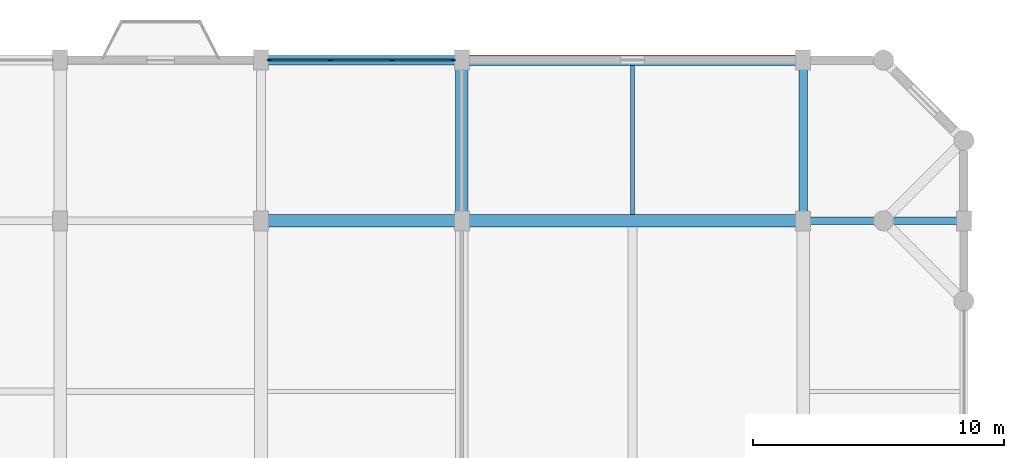
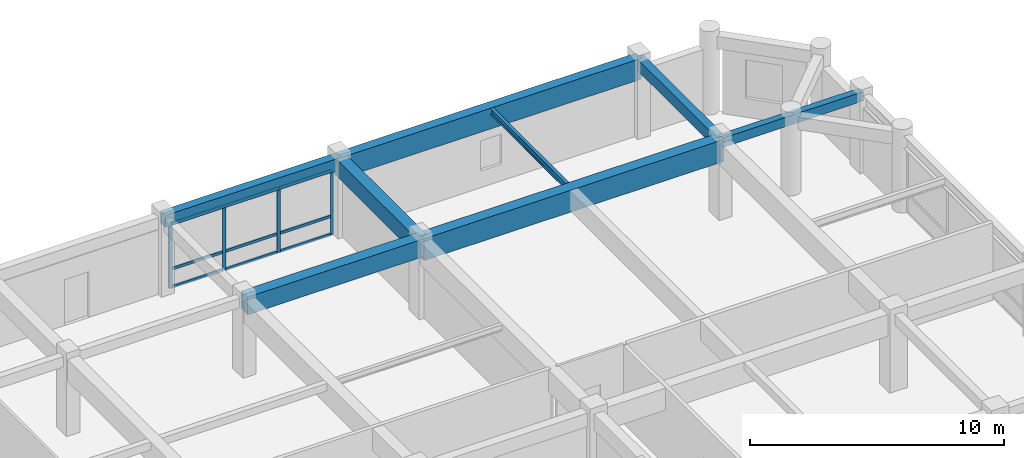
# One storey, part 11 of 20: 13 members, 8 beams, 1 element without a shape of its own.
"""IFC4 building model written with IfcOpenShell, lengths in metres."""

from ifc_helpers import new_model, si_unit, direction, frame, origin, origin_2d, place, context, subcontext, project, spatial, rectangle, i_section, extrude, material, material_profile, profile_set, type_object, element, aggregate, save


model = new_model("IFC4")

# Units and contexts
model_context = context("Model", 3, precision=1e-05, world=origin(), true_north=direction((0.0, 1.0)))
body_context = subcontext(model_context, "Body", "Model", "MODEL_VIEW")
ifc_project = project(units=[si_unit("LENGTHUNIT", "METRE"), si_unit("AREAUNIT", "SQUARE_METRE"), si_unit("VOLUMEUNIT", "CUBIC_METRE"), si_unit("PLANEANGLEUNIT", "RADIAN"), si_unit("MASSUNIT", "GRAM", prefix="KILO")], contexts=[model_context])

# Site, building, storey
site_placement = place(None, origin())
site = spatial("IfcSite", under=ifc_project, at=site_placement, CompositionType="ELEMENT")
building_placement = place(site_placement, origin())
building = spatial("IfcBuilding", under=site, at=building_placement, Name="Vellmiral Cinema and Media Centre", CompositionType="ELEMENT")
storey_placement = place(building_placement, frame((0.0, 0.0, 23.800048828125)))
storey = spatial("IfcBuildingStorey", under=building, at=storey_placement, Name="L05", CompositionType="ELEMENT", Elevation=23.800048828125)

# Beams
ifc_material_1 = material(Name="Concrete C40/50", Category="concrete")
ifc_material_profile_1 = material_profile(ifc_material_1, rectangle(XDim=0.300048828125, YDim=0.449951171875, at=origin_2d()), Name="RC 300x450")
ifc_profile_set_1 = profile_set([ifc_material_profile_1], Name="Concrete C40/50")
beam_type_1 = type_object("IfcBeamType", Name="BM-RC-300x450", PredefinedType="BEAM", material=ifc_profile_set_1)
beam_1_placement = place(storey_placement, frame((161.60009765625, 108.800048828125, 3.469970703125), z_axis=(1.0, 0.0, 0.0), x_axis=(0.0, 1.0, 0.0)))
element("IfcBeam", 1, at=beam_1_placement, inside=storey, type_object=beam_type_1, Name="Grid Beam L05-X047", PredefinedType="BEAM", context=body_context, shape_type="SweptSolid", body=[
    extrude(rectangle(XDim=0.300048828125, YDim=0.449951171875, at=origin_2d()), origin(), (0.0, 0.0, 1.0), 6.39990234375),
])
ifc_material_2 = material(Name="Concrete C40/50", Category="concrete")
ifc_material_profile_2 = material_profile(ifc_material_2, rectangle(XDim=0.35009765625, YDim=0.550048828125, at=origin_2d()), Name="RC 350x550")
ifc_profile_set_2 = profile_set([ifc_material_profile_2], Name="Concrete C40/50")
beam_type_2 = type_object("IfcBeamType", Name="BM-RC-350x550", PredefinedType="BEAM", material=ifc_profile_set_2)
beam_2_placement = place(storey_placement, frame((161.60009765625, 108.800048828125, 3.419921875), z_axis=(0.0, 1.0, 0.0), x_axis=(-1.0, 0.0, 0.0)))
element("IfcBeam", 2, at=beam_2_placement, inside=storey, type_object=beam_type_2, Name="Grid Beam L05-Y099", PredefinedType="BEAM", context=body_context, shape_type="SweptSolid", body=[
    extrude(rectangle(XDim=0.35009765625, YDim=0.550048828125, at=origin_2d()), origin(), (0.0, 0.0, 1.0), 6.39990234375),
])
ifc_material_3 = material(Name="Concrete C40/50", Category="concrete")
ifc_material_profile_3 = material_profile(ifc_material_3, rectangle(XDim=0.5, YDim=0.800048828125, at=origin_2d()), Name="RC 500x800")
ifc_profile_set_3 = profile_set([ifc_material_profile_3], Name="Concrete C40/50")
beam_type_3 = type_object("IfcBeamType", Name="BM-RC-500x800", PredefinedType="BEAM", material=ifc_profile_set_3)
beam_3_placement = place(storey_placement, frame((148.0, 108.800048828125, 3.294921875), z_axis=(0.0, 1.0, 0.0), x_axis=(-1.0, 0.0, 0.0)))
element("IfcBeam", 3, at=beam_3_placement, inside=storey, type_object=beam_type_3, Name="Grid Beam L05-Y093", PredefinedType="BEAM", context=body_context, shape_type="SweptSolid", body=[
    extrude(rectangle(XDim=0.5, YDim=0.800048828125, at=origin_2d()), origin(), (0.0, 0.0, 1.0), 6.39990234375),
])
ifc_material_4 = material(Name="Concrete C40/50", Category="concrete")
ifc_material_profile_4 = material_profile(ifc_material_4, rectangle(XDim=0.5, YDim=0.85009765625, at=origin_2d()), Name="RC 500x850")
ifc_profile_set_4 = profile_set([ifc_material_profile_4], Name="Concrete C40/50")
beam_type_4 = type_object("IfcBeamType", Name="BM-RC-500x850", PredefinedType="BEAM", material=ifc_profile_set_4)
beam_4_placement = place(storey_placement, frame((140.0, 108.800048828125, 3.27001953125), z_axis=(1.0, 0.0, 0.0), x_axis=(0.0, 1.0, 0.0)))
element("IfcBeam", 4, at=beam_4_placement, inside=storey, type_object=beam_type_4, Name="Grid Beam L05-X045", PredefinedType="BEAM", context=body_context, shape_type="SweptSolid", body=[
    extrude(rectangle(XDim=0.5, YDim=0.85009765625, at=origin_2d()), origin(), (0.0, 0.0, 1.0), 8.0),
])
ifc_material_5 = material(Name="Concrete C40/50", Category="concrete")
ifc_material_profile_5 = material_profile(ifc_material_5, rectangle(XDim=0.5, YDim=1.050048828125, at=origin_2d()), Name="RC 500x1050")
ifc_profile_set_5 = profile_set([ifc_material_profile_5], Name="Concrete C40/50")
beam_type_5 = type_object("IfcBeamType", Name="BM-RCG-500x1050", PredefinedType="BEAM", material=ifc_profile_set_5)
beam_5_placement = place(storey_placement, frame((148.0, 108.800048828125, 3.169921875), z_axis=(1.0, 0.0, 0.0), x_axis=(0.0, 1.0, 0.0)))
element("IfcBeam", 5, at=beam_5_placement, inside=storey, type_object=beam_type_5, Name="Grid Beam L05-X046", PredefinedType="BEAM", context=body_context, shape_type="SweptSolid", body=[
    extrude(rectangle(XDim=0.5, YDim=1.050048828125, at=origin_2d()), origin(), (0.0, 0.0, 1.0), 13.60009765625),
])

# Curtain wall, members
ifc_material_6 = material(Name="Thermally Broken Aluminium and Triple Glazing", Category="aluminium")
curtain_wall_type = type_object("IfcCurtainWallType", Name="CW-TOWER-LOW-S", PredefinedType="USERDEFINED", material=ifc_material_6)
curtain_wall_placement = place(storey_placement, origin())
curtain_wall = element("IfcCurtainWall", 6, at=curtain_wall_placement, inside=storey, type_object=curtain_wall_type, Name="Curtain Wall L05-B020", ObjectType="UNITISED CURTAIN WALL", PredefinedType="USERDEFINED")
ifc_material_7 = material(Name="Thermally Broken Anodised Aluminium", Category="aluminium")
ifc_material_profile_6 = material_profile(ifc_material_7, rectangle(XDim=0.06494140625, YDim=0.159912109375, at=origin_2d()), Name="MULL 65x160")
ifc_profile_set_6 = profile_set([ifc_material_profile_6], Name="Thermally Broken Anodised Aluminium")
member_type_1 = type_object("IfcMemberType", Name="CWM-65x160", PredefinedType="MULLION", material=ifc_profile_set_6)
member_1_placement = place(storey_placement, frame((147.66748046875, 115.199951171875, 0.0), z_axis=(0.0, 0.0, 1.0), x_axis=(0.0, -1.0, 0.0)))
member_1 = element("IfcMember", 7, at=member_1_placement, type_object=member_type_1, Name="CW-06 mullion 1", PredefinedType="MULLION", context=body_context, shape_type="SweptSolid", body=[
    extrude(rectangle(XDim=0.06494140625, YDim=0.159912109375, at=origin_2d()), origin(), (0.0, 0.0, 1.0), 3.099853515625),
])
member_2_placement = place(storey_placement, frame((145.2333984375, 115.199951171875, 0.0), z_axis=(0.0, 0.0, 1.0), x_axis=(0.0, -1.0, 0.0)))
member_2 = element("IfcMember", 8, at=member_2_placement, type_object=member_type_1, Name="CW-06 mullion 2", PredefinedType="MULLION", context=body_context, shape_type="SweptSolid", body=[
    extrude(rectangle(XDim=0.06494140625, YDim=0.159912109375, at=origin_2d()), origin(), (0.0, 0.0, 1.0), 3.099853515625),
])
member_3_placement = place(storey_placement, frame((142.7666015625, 115.199951171875, 0.0), z_axis=(0.0, 0.0, 1.0), x_axis=(0.0, -1.0, 0.0)))
member_3 = element("IfcMember", 9, at=member_3_placement, type_object=member_type_1, Name="CW-06 mullion 3", PredefinedType="MULLION", context=body_context, shape_type="SweptSolid", body=[
    extrude(rectangle(XDim=0.06494140625, YDim=0.159912109375, at=origin_2d()), origin(), (0.0, 0.0, 1.0), 3.099853515625),
])
member_4_placement = place(storey_placement, frame((140.33251953125, 115.199951171875, 0.0), z_axis=(0.0, 0.0, 1.0), x_axis=(0.0, -1.0, 0.0)))
member_4 = element("IfcMember", 10, at=member_4_placement, type_object=member_type_1, Name="CW-06 mullion 4", PredefinedType="MULLION", context=body_context, shape_type="SweptSolid", body=[
    extrude(rectangle(XDim=0.06494140625, YDim=0.159912109375, at=origin_2d()), origin(), (0.0, 0.0, 1.0), 3.099853515625),
])
ifc_material_8 = material(Name="Thermally Broken Anodised Aluminium", Category="aluminium")
ifc_material_profile_7 = material_profile(ifc_material_8, rectangle(XDim=0.06494140625, YDim=0.135009765625, at=origin_2d()), Name="MULL 65x135")
ifc_profile_set_7 = profile_set([ifc_material_profile_7], Name="Thermally Broken Anodised Aluminium")
member_type_2 = type_object("IfcMemberType", Name="CWT-65x135", PredefinedType="USERDEFINED", material=ifc_profile_set_7)
member_5_placement = place(storey_placement, frame((147.635009765625, 115.199951171875, 0.032470703125), z_axis=(-1.0, 0.0, 0.0), x_axis=(0.0, -1.0, 0.0)))
member_5 = element("IfcMember", 11, at=member_5_placement, type_object=member_type_2, Name="CW-06 transom 1.1", ObjectType="TRANSOM", PredefinedType="USERDEFINED", context=body_context, shape_type="SweptSolid", body=[
    extrude(rectangle(XDim=0.06494140625, YDim=0.135009765625, at=origin_2d()), origin(), (0.0, 0.0, 1.0), 2.369140625),
])
member_6_placement = place(storey_placement, frame((147.635009765625, 115.199951171875, 0.89990234375), z_axis=(-1.0, 0.0, 0.0), x_axis=(0.0, -1.0, 0.0)))
member_6 = element("IfcMember", 12, at=member_6_placement, type_object=member_type_2, Name="CW-06 transom 1.2", ObjectType="TRANSOM", PredefinedType="USERDEFINED", context=body_context, shape_type="SweptSolid", body=[
    extrude(rectangle(XDim=0.06494140625, YDim=0.135009765625, at=origin_2d()), origin(), (0.0, 0.0, 1.0), 2.369140625),
])
member_7_placement = place(storey_placement, frame((147.635009765625, 115.199951171875, 3.0673828125), z_axis=(-1.0, 0.0, 0.0), x_axis=(0.0, -1.0, 0.0)))
member_7 = element("IfcMember", 13, at=member_7_placement, type_object=member_type_2, Name="CW-06 transom 1.3", ObjectType="TRANSOM", PredefinedType="USERDEFINED", context=body_context, shape_type="SweptSolid", body=[
    extrude(rectangle(XDim=0.06494140625, YDim=0.135009765625, at=origin_2d()), origin(), (0.0, 0.0, 1.0), 2.369140625),
])
member_8_placement = place(storey_placement, frame((145.200927734375, 115.199951171875, 0.032470703125), z_axis=(-1.0, 0.0, 0.0), x_axis=(0.0, -1.0, 0.0)))
member_8 = element("IfcMember", 14, at=member_8_placement, type_object=member_type_2, Name="CW-06 transom 2.1", ObjectType="TRANSOM", PredefinedType="USERDEFINED", context=body_context, shape_type="SweptSolid", body=[
    extrude(rectangle(XDim=0.06494140625, YDim=0.135009765625, at=origin_2d()), origin(), (0.0, 0.0, 1.0), 2.40185546875),
])
member_9_placement = place(storey_placement, frame((145.200927734375, 115.199951171875, 0.89990234375), z_axis=(-1.0, 0.0, 0.0), x_axis=(0.0, -1.0, 0.0)))
member_9 = element("IfcMember", 15, at=member_9_placement, type_object=member_type_2, Name="CW-06 transom 2.2", ObjectType="TRANSOM", PredefinedType="USERDEFINED", context=body_context, shape_type="SweptSolid", body=[
    extrude(rectangle(XDim=0.06494140625, YDim=0.135009765625, at=origin_2d()), origin(), (0.0, 0.0, 1.0), 2.40185546875),
])
member_10_placement = place(storey_placement, frame((145.200927734375, 115.199951171875, 3.0673828125), z_axis=(-1.0, 0.0, 0.0), x_axis=(0.0, -1.0, 0.0)))
member_10 = element("IfcMember", 16, at=member_10_placement, type_object=member_type_2, Name="CW-06 transom 2.3", ObjectType="TRANSOM", PredefinedType="USERDEFINED", context=body_context, shape_type="SweptSolid", body=[
    extrude(rectangle(XDim=0.06494140625, YDim=0.135009765625, at=origin_2d()), origin(), (0.0, 0.0, 1.0), 2.40185546875),
])
member_11_placement = place(storey_placement, frame((142.734130859375, 115.199951171875, 0.032470703125), z_axis=(-1.0, 0.0, 0.0), x_axis=(0.0, -1.0, 0.0)))
member_11 = element("IfcMember", 17, at=member_11_placement, type_object=member_type_2, Name="CW-06 transom 3.1", ObjectType="TRANSOM", PredefinedType="USERDEFINED", context=body_context, shape_type="SweptSolid", body=[
    extrude(rectangle(XDim=0.06494140625, YDim=0.135009765625, at=origin_2d()), origin(), (0.0, 0.0, 1.0), 2.369140625),
])
member_12_placement = place(storey_placement, frame((142.734130859375, 115.199951171875, 0.89990234375), z_axis=(-1.0, 0.0, 0.0), x_axis=(0.0, -1.0, 0.0)))
member_12 = element("IfcMember", 18, at=member_12_placement, type_object=member_type_2, Name="CW-06 transom 3.2", ObjectType="TRANSOM", PredefinedType="USERDEFINED", context=body_context, shape_type="SweptSolid", body=[
    extrude(rectangle(XDim=0.06494140625, YDim=0.135009765625, at=origin_2d()), origin(), (0.0, 0.0, 1.0), 2.369140625),
])
member_13_placement = place(storey_placement, frame((142.734130859375, 115.199951171875, 3.0673828125), z_axis=(-1.0, 0.0, 0.0), x_axis=(0.0, -1.0, 0.0)))
member_13 = element("IfcMember", 19, at=member_13_placement, type_object=member_type_2, Name="CW-06 transom 3.3", ObjectType="TRANSOM", PredefinedType="USERDEFINED", context=body_context, shape_type="SweptSolid", body=[
    extrude(rectangle(XDim=0.06494140625, YDim=0.135009765625, at=origin_2d()), origin(), (0.0, 0.0, 1.0), 2.369140625),
])
aggregate(curtain_wall, [member_1, member_2, member_3, member_4, member_5, member_6, member_7, member_8, member_9, member_10, member_11, member_12, member_13])

# Beams
ifc_material_9 = material(Name="Steel S355", Category="steel")
ifc_material_profile_8 = material_profile(ifc_material_9, i_section(OverallWidth=0.14990234375, OverallDepth=0.300048828125, WebThickness=0.007080078125, FlangeThickness=0.0107421875, FilletRadius=0.014892578125, at=origin_2d()), Name="IPE 300")
ifc_profile_set_8 = profile_set([ifc_material_profile_8], Name="Steel S355")
beam_type_6 = type_object("IfcBeamType", Name="SBM-IPE300", PredefinedType="JOIST", material=ifc_profile_set_8)
beam_6_placement = place(storey_placement, frame((154.800048828125, 109.050048828125, 3.544921875), z_axis=(0.0, 1.0, 0.0), x_axis=(-1.0, 0.0, 0.0)))
element("IfcBeam", 20, at=beam_6_placement, inside=storey, type_object=beam_type_6, Name="Secondary Floor Joist L05-011", PredefinedType="JOIST", context=body_context, shape_type="SweptSolid", body=[
    extrude(i_section(OverallWidth=0.14990234375, OverallDepth=0.300048828125, WebThickness=0.007080078125, FlangeThickness=0.0107421875, FilletRadius=0.014892578125, at=origin_2d()), origin(), (0.0, 0.0, 1.0), 5.93994140625),
])
ifc_material_10 = material(Name="Vosges Red Sandstone Masonry", Category="masonry")
ifc_material_profile_9 = material_profile(ifc_material_10, rectangle(XDim=0.3798828125, YDim=0.580078125, at=origin_2d()), Name="SAND 380x580")
ifc_profile_set_9 = profile_set([ifc_material_profile_9], Name="Vosges Red Sandstone Masonry")
beam_type_7 = type_object("IfcBeamType", Name="SPD-SAND-380x580", PredefinedType="SPANDREL", material=ifc_profile_set_9)
beam_7_placement = place(storey_placement, frame((140.0, 115.199951171875, 3.405029296875), z_axis=(1.0, 0.0, 0.0), x_axis=(0.0, 1.0, 0.0)))
element("IfcBeam", 21, at=beam_7_placement, inside=storey, type_object=beam_type_7, Name="Grid Beam L05-X052", PredefinedType="SPANDREL", context=body_context, shape_type="SweptSolid", body=[
    extrude(rectangle(XDim=0.3798828125, YDim=0.580078125, at=origin_2d()), origin(), (0.0, 0.0, 1.0), 8.0),
])
ifc_material_11 = material(Name="Vosges Red Sandstone Masonry", Category="masonry")
ifc_material_profile_10 = material_profile(ifc_material_11, rectangle(XDim=0.419921875, YDim=1.0, at=origin_2d()), Name="SAND 420x1000")
ifc_profile_set_10 = profile_set([ifc_material_profile_10], Name="Vosges Red Sandstone Masonry")
beam_type_8 = type_object("IfcBeamType", Name="SPD-SANDG-420x1000", PredefinedType="SPANDREL", material=ifc_profile_set_10)
beam_8_placement = place(storey_placement, frame((148.0, 115.199951171875, 3.195068359375), z_axis=(1.0, 0.0, 0.0), x_axis=(0.0, 1.0, 0.0)))
element("IfcBeam", 22, at=beam_8_placement, inside=storey, type_object=beam_type_8, Name="Grid Beam L05-X053", PredefinedType="SPANDREL", context=body_context, shape_type="SweptSolid", body=[
    extrude(rectangle(XDim=0.419921875, YDim=1.0, at=origin_2d()), origin(), (0.0, 0.0, 1.0), 13.60009765625),
])

save(model, "model.ifc")
